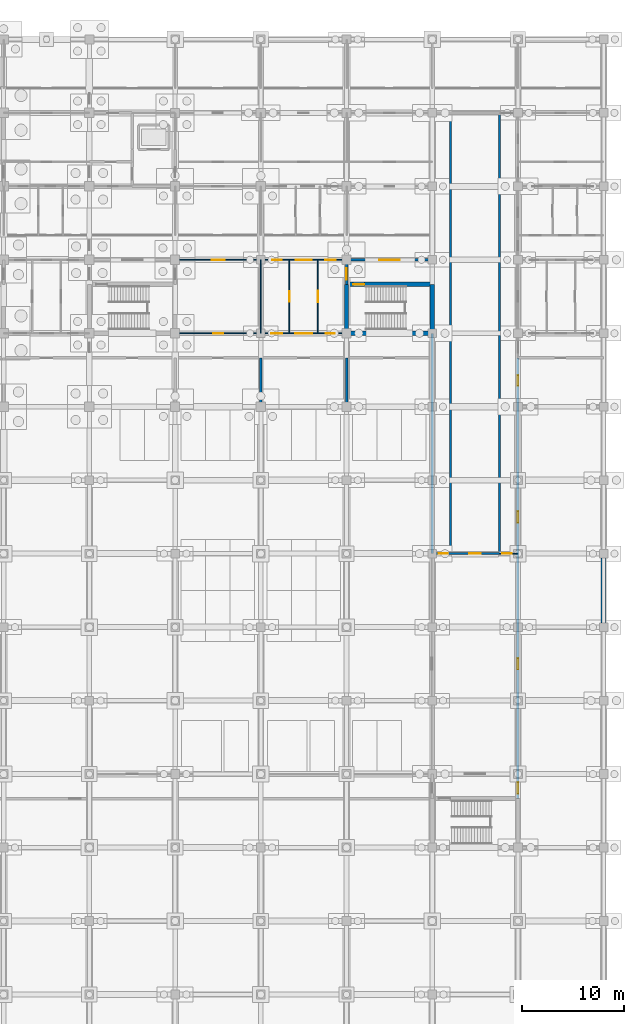
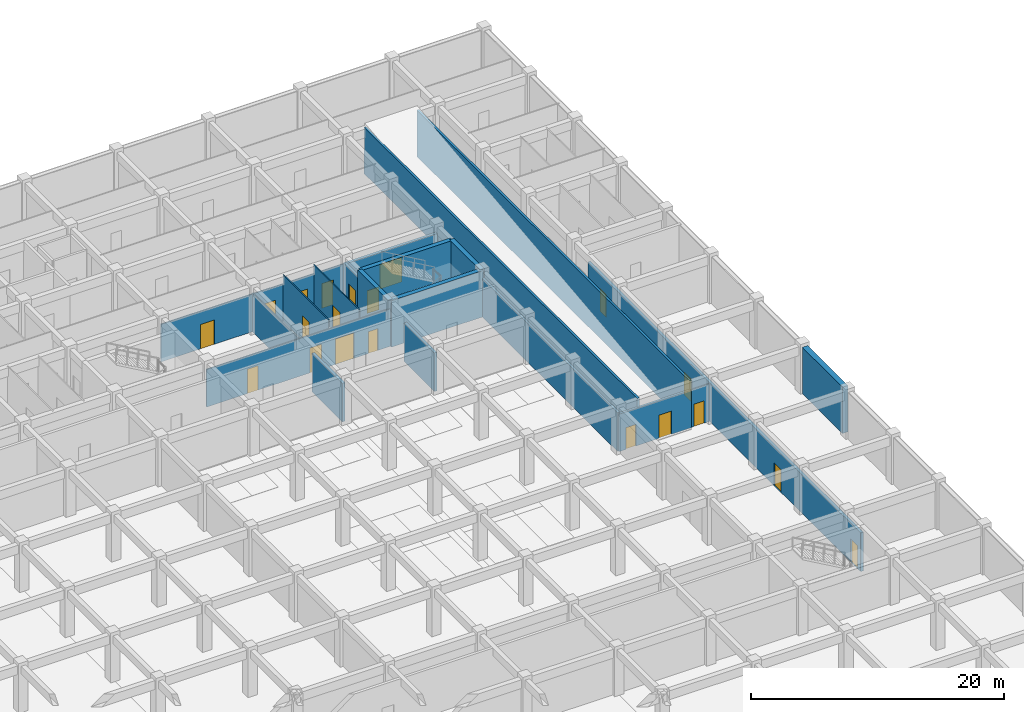
# One storey, part 77 of 85: 20 doors, 20 walls, 20 openings.
"""IFC4 building model written with IfcOpenShell, lengths in metres."""

from ifc_helpers import new_model, si_unit, direction, frame, frame_2d, origin, place, context, subcontext, project, spatial, rectangle, extrude, material, layer, layer_set, type_object, element, fill, save


model = new_model("IFC4")

# Units and contexts
model_context = context("Model", 3, precision=1e-05, world=origin(), true_north=direction((0.0, 1.0)))
body_context = subcontext(model_context, "Body", "Model", "MODEL_VIEW")
ifc_project = project(units=[si_unit("LENGTHUNIT", "METRE"), si_unit("AREAUNIT", "SQUARE_METRE"), si_unit("VOLUMEUNIT", "CUBIC_METRE"), si_unit("PLANEANGLEUNIT", "RADIAN"), si_unit("MASSUNIT", "GRAM", prefix="KILO")], contexts=[model_context])

# Site, building, storey
site_placement = place(None, origin())
site = spatial("IfcSite", under=ifc_project, at=site_placement, CompositionType="ELEMENT")
building_placement = place(site_placement, origin())
building = spatial("IfcBuilding", under=site, at=building_placement, Name="Chengyuan Square Courthouse", CompositionType="ELEMENT")
storey_placement = place(building_placement, frame((0.0, 0.0, -10.199951171875)))
storey = spatial("IfcBuildingStorey", under=building, at=storey_placement, Name="B02", CompositionType="ELEMENT", Elevation=-10.199951171875)

# Wall, opening, door
ifc_material_1 = material(Name="Concrete C40", Category="concrete")
ifc_layer_1 = layer(ifc_material_1, 0.25)
ifc_layer_set_1 = layer_set([ifc_layer_1], Name="Concrete C40")
wall_type_1 = type_object("IfcWallType", Name="WL-FW1", PredefinedType="STANDARD", material=ifc_layer_set_1)
wall_1_placement = place(storey_placement, frame((142.800048828125, 93.60009765625, 0.0), z_axis=(0.0, 0.0, 1.0), x_axis=(1.0, 0.0, 0.0)))
wall_1 = element("IfcWall", 1, at=wall_1_placement, inside=storey, type_object=wall_type_1, Name="Interior Wall WL-B02-I060", PredefinedType="STANDARD", context=body_context, shape_type="SweptSolid", body=[
    extrude(rectangle(XDim=8.39990234375, YDim=0.25, at=frame_2d((4.199951171875, 0.0))), origin(), (0.0, 0.0, 1.0), 3.6298828125),
])
opening_1_placement = place(wall_1_placement, frame((3.21240234375, 0.0, 0.0)))
opening_1 = element("IfcOpeningElement", 2, at=opening_1_placement, cuts=wall_1, Name="Opening DR-048", PredefinedType="OPENING", context=body_context, shape_type="SweptSolid", body=[
    extrude(rectangle(XDim=2.0, YDim=2.39990234375, at=frame_2d((1.0, 1.199951171875))), frame((0.0, 0.136962890625, 0.0), z_axis=(0.0, -1.0, 0.0), x_axis=(1.0, 0.0, 0.0)), (0.0, 0.0, 1.0), 0.27392578125),
])
ifc_material_2 = material(Name="Steel Q235B Glazed Fire Door", Category="steel")
door_type_1 = type_object("IfcDoorType", Name="DT-20", OperationType="DOUBLE_DOOR_SINGLE_SWING", PredefinedType="DOOR", material=ifc_material_2)
door_1_placement = place(opening_1_placement, frame((2.0, 0.0, 0.0), z_axis=(0.0, 0.0, 1.0), x_axis=(-1.0, 0.0, 0.0)))
door_1 = element("IfcDoor", 3, at=door_1_placement, inside=storey, type_object=door_type_1, Name="Interior Door DR-048", OperationType="DOUBLE_DOOR_SINGLE_SWING", OverallHeight=2.39990234375, OverallWidth=2.0, PredefinedType="DOOR", context=body_context, shape_type="SweptSolid", body=[
    extrude(rectangle(XDim=2.0, YDim=2.39990234375, at=frame_2d((1.0, 1.199951171875))), frame((0.0, 0.02490234375, 0.0), z_axis=(0.0, -1.0, 0.0), x_axis=(1.0, 0.0, 0.0)), (0.0, 0.0, 1.0), 0.050048828125),
])
fill(opening_1, door_1)

# Walls
for number, where, z_axis, x_axis, name in (
    (4, (134.39990234375, 79.199951171875, 0.0), (0.0, 0.0, 1.0), (0.0, 1.0, 0.0), "Interior Wall WL-B02-I246"),
    (5, (142.800048828125, 79.199951171875, 0.0), (0.0, 0.0, 1.0), (0.0, 1.0, 0.0), "Interior Wall WL-B02-I255"),
):
    element("IfcWall", number, at=place(storey_placement, frame(where, z_axis=z_axis, x_axis=x_axis)), inside=storey, type_object=wall_type_1, Name=name, PredefinedType="STANDARD", context=body_context, shape_type="SweptSolid", body=[
        extrude(rectangle(XDim=4.800048828125, YDim=0.25, at=frame_2d((2.39990234375, 0.0))), origin(), (0.0, 0.0, 1.0), 3.72998046875),
    ])

# Wall, opening, door
wall_2_placement = place(storey_placement, frame((142.800048828125, 91.199951171875, 0.0), z_axis=(0.0, 0.0, 1.0), x_axis=(0.0, 1.0, 0.0)))
wall_2 = element("IfcWall", 6, at=wall_2_placement, inside=storey, type_object=wall_type_1, Name="Interior Wall WL-B02-I257", PredefinedType="STANDARD", context=body_context, shape_type="SweptSolid", body=[
    extrude(rectangle(XDim=2.400146484375, YDim=0.25, at=frame_2d((1.2001953125, 0.0))), origin(), (0.0, 0.0, 1.0), 3.72998046875),
])
opening_2_placement = place(wall_2_placement, frame((0.465087890625, 0.0, 0.0)))
opening_2 = element("IfcOpeningElement", 7, at=opening_2_placement, cuts=wall_2, Name="Opening DR-049", PredefinedType="OPENING", context=body_context, shape_type="SweptSolid", body=[
    extrude(rectangle(XDim=1.10009765625, YDim=2.199951171875, at=frame_2d((0.550048828125, 1.10009765625))), frame((0.0, 0.136962890625, 0.0), z_axis=(0.0, -1.0, 0.0), x_axis=(1.0, 0.0, 0.0)), (0.0, 0.0, 1.0), 0.27392578125),
])
ifc_material_3 = material(Name="Steel Q235B Fire Door", Category="steel")
door_type_2 = type_object("IfcDoorType", Name="DT-10", OperationType="NOTDEFINED", PredefinedType="DOOR", material=ifc_material_3)
door_2_placement = place(opening_2_placement, origin())
door_2 = element("IfcDoor", 8, at=door_2_placement, inside=storey, type_object=door_type_2, Name="Interior Door DR-049", OperationType="SINGLE_SWING_LEFT", OverallHeight=2.199951171875, OverallWidth=1.10009765625, PredefinedType="DOOR", context=body_context, shape_type="SweptSolid", body=[
    extrude(rectangle(XDim=1.10009765625, YDim=2.199951171875, at=frame_2d((0.550048828125, 1.10009765625))), frame((0.0, 0.02490234375, 0.0), z_axis=(0.0, -1.0, 0.0), x_axis=(1.0, 0.0, 0.0)), (0.0, 0.0, 1.0), 0.050048828125),
])
fill(opening_2, door_2)

# Wall, openings, doors
wall_3_placement = place(storey_placement, frame((159.60009765625, 40.800048828125, 0.0), z_axis=(0.0, 0.0, 1.0), x_axis=(0.0, 1.0, 0.0)))
wall_3 = element("IfcWall", 9, at=wall_3_placement, inside=storey, type_object=wall_type_1, Name="Interior Wall WL-B02-I271", PredefinedType="STANDARD", context=body_context, shape_type="SweptSolid", body=[
    extrude(rectangle(XDim=43.199951171875, YDim=0.25, at=frame_2d((21.60009765625, 0.0))), origin(), (0.0, 0.0, 1.0), 3.72998046875),
])
opening_3_placement = place(wall_3_placement, frame((0.4775390625, 0.0, 0.0)))
opening_3 = element("IfcOpeningElement", 10, at=opening_3_placement, cuts=wall_3, Name="Opening DR-043", PredefinedType="OPENING", context=body_context, shape_type="SweptSolid", body=[
    extrude(rectangle(XDim=1.10009765625, YDim=2.199951171875, at=frame_2d((0.550048828125, 1.10009765625))), frame((0.0, 0.136962890625, 0.0), z_axis=(0.0, -1.0, 0.0), x_axis=(1.0, 0.0, 0.0)), (0.0, 0.0, 1.0), 0.27392578125),
])
opening_4_placement = place(wall_3_placement, frame((40.472412109375, 0.0, 0.0)))
opening_4 = element("IfcOpeningElement", 11, at=opening_4_placement, cuts=wall_3, Name="Opening DR-059", PredefinedType="OPENING", context=body_context, shape_type="SweptSolid", body=[
    extrude(rectangle(XDim=1.0, YDim=2.199951171875, at=frame_2d((0.5, 1.10009765625))), frame((0.0, 0.136962890625, 0.0), z_axis=(0.0, -1.0, 0.0), x_axis=(1.0, 0.0, 0.0)), (0.0, 0.0, 1.0), 0.27392578125),
])
opening_5_placement = place(wall_3_placement, frame((27.050048828125, 0.0, 0.0)))
opening_5 = element("IfcOpeningElement", 12, at=opening_5_placement, cuts=wall_3, Name="Opening DR-061", PredefinedType="OPENING", context=body_context, shape_type="SweptSolid", body=[
    extrude(rectangle(XDim=1.10009765625, YDim=2.199951171875, at=frame_2d((0.550048828125, 1.10009765625))), frame((0.0, 0.136962890625, 0.0), z_axis=(0.0, -1.0, 0.0), x_axis=(1.0, 0.0, 0.0)), (0.0, 0.0, 1.0), 0.27392578125),
])
opening_6_placement = place(wall_3_placement, frame((12.64990234375, 0.0, 0.0)))
opening_6 = element("IfcOpeningElement", 13, at=opening_6_placement, cuts=wall_3, Name="Opening DR-334", PredefinedType="OPENING", context=body_context, shape_type="SweptSolid", body=[
    extrude(rectangle(XDim=1.10009765625, YDim=2.199951171875, at=frame_2d((0.550048828125, 1.10009765625))), frame((0.0, 0.136962890625, 0.0), z_axis=(0.0, -1.0, 0.0), x_axis=(1.0, 0.0, 0.0)), (0.0, 0.0, 1.0), 0.27392578125),
])
door_3_placement = place(opening_3_placement, origin())
door_3 = element("IfcDoor", 14, at=door_3_placement, inside=storey, type_object=door_type_2, Name="Interior Door DR-043", OperationType="SINGLE_SWING_RIGHT", OverallHeight=2.199951171875, OverallWidth=1.10009765625, PredefinedType="DOOR", context=body_context, shape_type="SweptSolid", body=[
    extrude(rectangle(XDim=1.10009765625, YDim=2.199951171875, at=frame_2d((0.550048828125, 1.10009765625))), frame((0.0, 0.02490234375, 0.0), z_axis=(0.0, -1.0, 0.0), x_axis=(1.0, 0.0, 0.0)), (0.0, 0.0, 1.0), 0.050048828125),
])
fill(opening_3, door_3)
door_4_placement = place(opening_5_placement, origin())
door_4 = element("IfcDoor", 15, at=door_4_placement, inside=storey, type_object=door_type_2, Name="Interior Door DR-061", OperationType="SINGLE_SWING_LEFT", OverallHeight=2.199951171875, OverallWidth=1.10009765625, PredefinedType="DOOR", context=body_context, shape_type="SweptSolid", body=[
    extrude(rectangle(XDim=1.10009765625, YDim=2.199951171875, at=frame_2d((0.550048828125, 1.10009765625))), frame((0.0, 0.02490234375, 0.0), z_axis=(0.0, -1.0, 0.0), x_axis=(1.0, 0.0, 0.0)), (0.0, 0.0, 1.0), 0.050048828125),
])
fill(opening_5, door_4)
door_5_placement = place(opening_6_placement, origin())
door_5 = element("IfcDoor", 16, at=door_5_placement, inside=storey, type_object=door_type_2, Name="Interior Door DR-334", OperationType="SINGLE_SWING_LEFT", OverallHeight=2.199951171875, OverallWidth=1.10009765625, PredefinedType="DOOR", context=body_context, shape_type="SweptSolid", body=[
    extrude(rectangle(XDim=1.10009765625, YDim=2.199951171875, at=frame_2d((0.550048828125, 1.10009765625))), frame((0.0, 0.02490234375, 0.0), z_axis=(0.0, -1.0, 0.0), x_axis=(1.0, 0.0, 0.0)), (0.0, 0.0, 1.0), 0.050048828125),
])
fill(opening_6, door_5)
door_type_3 = type_object("IfcDoorType", Name="DT-11", OperationType="NOTDEFINED", PredefinedType="DOOR", material=ifc_material_3)
door_6_placement = place(opening_4_placement, origin())
door_6 = element("IfcDoor", 17, at=door_6_placement, inside=storey, type_object=door_type_3, Name="Interior Door DR-059", OperationType="SINGLE_SWING_LEFT", OverallHeight=2.199951171875, OverallWidth=1.0, PredefinedType="DOOR", context=body_context, shape_type="SweptSolid", body=[
    extrude(rectangle(XDim=1.0, YDim=2.199951171875, at=frame_2d((0.5, 1.10009765625))), frame((0.0, 0.02490234375, 0.0), z_axis=(0.0, -1.0, 0.0), x_axis=(1.0, 0.0, 0.0)), (0.0, 0.0, 1.0), 0.050048828125),
])
fill(opening_4, door_6)

# Wall, opening, door
ifc_material_4 = material(Name="Gypsum Plasterboard Acoustic Stud Partition")
ifc_layer_2 = layer(ifc_material_4, 0.10009765625)
ifc_layer_set_2 = layer_set([ifc_layer_2], Name="Gypsum Plasterboard Acoustic Stud Partition")
wall_type_2 = type_object("IfcWallType", Name="WL-PT6", PredefinedType="STANDARD", material=ifc_layer_set_2)
wall_4_placement = place(storey_placement, frame((157.800048828125, 64.800048828125, 0.0), z_axis=(0.0, 0.0, 1.0), x_axis=(1.0, 0.0, 0.0)))
wall_4 = element("IfcWall", 18, at=wall_4_placement, inside=storey, type_object=wall_type_2, Name="Interior Wall WL-B02-I018", PredefinedType="STANDARD", context=body_context, shape_type="SweptSolid", body=[
    extrude(rectangle(XDim=1.800048828125, YDim=0.10009765625, at=frame_2d((0.89990234375, 0.0))), origin(), (0.0, 0.0, 1.0), 3.6298828125),
])
opening_7_placement = place(wall_4_placement, frame((0.277587890625, 0.0, 0.0)))
opening_7 = element("IfcOpeningElement", 19, at=opening_7_placement, cuts=wall_4, Name="Opening DR-060", PredefinedType="OPENING", context=body_context, shape_type="SweptSolid", body=[
    extrude(rectangle(XDim=0.89990234375, YDim=2.14990234375, at=frame_2d((0.449951171875, 1.074951171875))), frame((0.0, 0.06201171875, 0.0), z_axis=(0.0, -1.0, 0.0), x_axis=(1.0, 0.0, 0.0)), (0.0, 0.0, 1.0), 0.1240234375),
])
ifc_material_5 = material(Name="Acoustic Solid-Core Timber Door", Category="wood")
door_type_4 = type_object("IfcDoorType", Name="DT-27", OperationType="NOTDEFINED", PredefinedType="DOOR", material=ifc_material_5)
door_7_placement = place(opening_7_placement, origin())
door_7 = element("IfcDoor", 20, at=door_7_placement, inside=storey, type_object=door_type_4, Name="Interior Door DR-060", OperationType="SINGLE_SWING_RIGHT", OverallHeight=2.14990234375, OverallWidth=0.89990234375, PredefinedType="DOOR", context=body_context, shape_type="SweptSolid", body=[
    extrude(rectangle(XDim=0.89990234375, YDim=2.14990234375, at=frame_2d((0.449951171875, 1.074951171875))), frame((0.0, 0.02490234375, 0.0), z_axis=(0.0, -1.0, 0.0), x_axis=(1.0, 0.0, 0.0)), (0.0, 0.0, 1.0), 0.050048828125),
])
fill(opening_7, door_7)

# Wall, openings, doors
wall_5_placement = place(storey_placement, frame((126.0, 86.39990234375, 0.0), z_axis=(0.0, 0.0, 1.0), x_axis=(1.0, 0.0, 0.0)))
wall_5 = element("IfcWall", 21, at=wall_5_placement, inside=storey, type_object=wall_type_2, Name="Interior Wall WL-B02-I039", PredefinedType="STANDARD", context=body_context, shape_type="SweptSolid", body=[
    extrude(rectangle(XDim=16.800048828125, YDim=0.10009765625, at=frame_2d((8.39990234375, 0.0))), origin(), (0.0, 0.0, 1.0), 3.6298828125),
])
opening_8_placement = place(wall_5_placement, frame((3.722412109375, 0.0, 0.0)))
opening_8 = element("IfcOpeningElement", 22, at=opening_8_placement, cuts=wall_5, Name="Opening DR-252", PredefinedType="OPENING", context=body_context, shape_type="SweptSolid", body=[
    extrude(rectangle(XDim=0.97998046875, YDim=2.35009765625, at=frame_2d((0.489990234375, 1.175048828125))), frame((0.0, 0.06201171875, 0.0), z_axis=(0.0, -1.0, 0.0), x_axis=(1.0, 0.0, 0.0)), (0.0, 0.0, 1.0), 0.1240234375),
])
opening_9_placement = place(wall_5_placement, frame((9.4423828125, 0.0, 0.0)))
opening_9 = element("IfcOpeningElement", 23, at=opening_9_placement, cuts=wall_5, Name="Opening DR-254", PredefinedType="OPENING", context=body_context, shape_type="SweptSolid", body=[
    extrude(rectangle(XDim=1.06005859375, YDim=2.39990234375, at=frame_2d((0.530029296875, 1.199951171875))), frame((0.0, 0.06201171875, 0.0), z_axis=(0.0, -1.0, 0.0), x_axis=(1.0, 0.0, 0.0)), (0.0, 0.0, 1.0), 0.1240234375),
])
opening_10_placement = place(wall_5_placement, frame((11.75, 0.0, 0.0)))
opening_10 = element("IfcOpeningElement", 24, at=opening_10_placement, cuts=wall_5, Name="Opening DR-256", PredefinedType="OPENING", context=body_context, shape_type="SweptSolid", body=[
    extrude(rectangle(XDim=1.699951171875, YDim=2.449951171875, at=frame_2d((0.85009765625, 1.22509765625))), frame((0.0, 0.06201171875, 0.0), z_axis=(0.0, -1.0, 0.0), x_axis=(1.0, 0.0, 0.0)), (0.0, 0.0, 1.0), 0.1240234375),
])
opening_11_placement = place(wall_5_placement, frame((14.784912109375, 0.0, 0.0)))
opening_11 = element("IfcOpeningElement", 25, at=opening_11_placement, cuts=wall_5, Name="Opening DR-257", PredefinedType="OPENING", context=body_context, shape_type="SweptSolid", body=[
    extrude(rectangle(XDim=0.860107421875, YDim=2.10009765625, at=frame_2d((0.43017578125, 1.050048828125))), frame((0.0, 0.06201171875, 0.0), z_axis=(0.0, -1.0, 0.0), x_axis=(1.0, 0.0, 0.0)), (0.0, 0.0, 1.0), 0.1240234375),
])
ifc_material_6 = material(Name="Acoustic Larch Veneer Double Door")
door_type_5 = type_object("IfcDoorType", Name="DT-24", OperationType="DOUBLE_DOOR_SINGLE_SWING", PredefinedType="DOOR", material=ifc_material_6)
door_8_placement = place(opening_10_placement, frame((1.699951171875, 0.0, 0.0), z_axis=(0.0, 0.0, 1.0), x_axis=(-1.0, 0.0, 0.0)))
door_8 = element("IfcDoor", 26, at=door_8_placement, inside=storey, type_object=door_type_5, Name="Interior Door DR-256", OperationType="DOUBLE_DOOR_SINGLE_SWING", OverallHeight=2.449951171875, OverallWidth=1.699951171875, PredefinedType="DOOR", context=body_context, shape_type="SweptSolid", body=[
    extrude(rectangle(XDim=1.699951171875, YDim=2.449951171875, at=frame_2d((0.85009765625, 1.22509765625))), frame((0.0, 0.02490234375, 0.0), z_axis=(0.0, -1.0, 0.0), x_axis=(1.0, 0.0, 0.0)), (0.0, 0.0, 1.0), 0.050048828125),
])
fill(opening_10, door_8)
door_type_6 = type_object("IfcDoorType", Name="DT-28", OperationType="NOTDEFINED", PredefinedType="DOOR", material=ifc_material_5)
door_9_placement = place(opening_11_placement, origin())
door_9 = element("IfcDoor", 27, at=door_9_placement, inside=storey, type_object=door_type_6, Name="Interior Door DR-257", OperationType="SINGLE_SWING_RIGHT", OverallHeight=2.10009765625, OverallWidth=0.860107421875, PredefinedType="DOOR", context=body_context, shape_type="SweptSolid", body=[
    extrude(rectangle(XDim=0.860107421875, YDim=2.10009765625, at=frame_2d((0.43017578125, 1.050048828125))), frame((0.0, 0.02490234375, 0.0), z_axis=(0.0, -1.0, 0.0), x_axis=(1.0, 0.0, 0.0)), (0.0, 0.0, 1.0), 0.050048828125),
])
fill(opening_11, door_9)
door_type_7 = type_object("IfcDoorType", Name="DT-40", OperationType="NOTDEFINED", PredefinedType="DOOR", material=ifc_material_5)
door_10_placement = place(opening_8_placement, origin())
door_10 = element("IfcDoor", 28, at=door_10_placement, inside=storey, type_object=door_type_7, Name="Interior Door DR-252", OperationType="SINGLE_SWING_RIGHT", OverallHeight=2.35009765625, OverallWidth=0.97998046875, PredefinedType="DOOR", context=body_context, shape_type="SweptSolid", body=[
    extrude(rectangle(XDim=0.97998046875, YDim=2.35009765625, at=frame_2d((0.489990234375, 1.175048828125))), frame((0.0, 0.02490234375, 0.0), z_axis=(0.0, -1.0, 0.0), x_axis=(1.0, 0.0, 0.0)), (0.0, 0.0, 1.0), 0.050048828125),
])
fill(opening_8, door_10)
door_type_8 = type_object("IfcDoorType", Name="DT-42", OperationType="NOTDEFINED", PredefinedType="DOOR", material=ifc_material_5)
door_11_placement = place(opening_9_placement, origin())
door_11 = element("IfcDoor", 29, at=door_11_placement, inside=storey, type_object=door_type_8, Name="Interior Door DR-254", OperationType="SINGLE_SWING_RIGHT", OverallHeight=2.39990234375, OverallWidth=1.06005859375, PredefinedType="DOOR", context=body_context, shape_type="SweptSolid", body=[
    extrude(rectangle(XDim=1.06005859375, YDim=2.39990234375, at=frame_2d((0.530029296875, 1.199951171875))), frame((0.0, 0.02490234375, 0.0), z_axis=(0.0, -1.0, 0.0), x_axis=(1.0, 0.0, 0.0)), (0.0, 0.0, 1.0), 0.050048828125),
])
fill(opening_9, door_11)

wall_6_placement = place(storey_placement, frame((126.0, 93.60009765625, 0.0), z_axis=(0.0, 0.0, 1.0), x_axis=(1.0, 0.0, 0.0)))
wall_6 = element("IfcWall", 30, at=wall_6_placement, inside=storey, type_object=wall_type_2, Name="Interior Wall WL-B02-I059", PredefinedType="STANDARD", context=body_context, shape_type="SweptSolid", body=[
    extrude(rectangle(XDim=16.800048828125, YDim=0.10009765625, at=frame_2d((8.39990234375, 0.0))), origin(), (0.0, 0.0, 1.0), 3.6298828125),
])
opening_12_placement = place(wall_6_placement, frame((3.572509765625, 0.0, 0.0)))
opening_12 = element("IfcOpeningElement", 31, at=opening_12_placement, cuts=wall_6, Name="Opening DR-199", PredefinedType="OPENING", context=body_context, shape_type="SweptSolid", body=[
    extrude(rectangle(XDim=1.280029296875, YDim=2.35009765625, at=frame_2d((0.64013671875, 1.175048828125))), frame((0.0, 0.06201171875, 0.0), z_axis=(0.0, -1.0, 0.0), x_axis=(1.0, 0.0, 0.0)), (0.0, 0.0, 1.0), 0.1240234375),
])
opening_13_placement = place(wall_6_placement, frame((9.50244140625, 0.0, 0.0)))
opening_13 = element("IfcOpeningElement", 32, at=opening_13_placement, cuts=wall_6, Name="Opening DR-200", PredefinedType="OPENING", context=body_context, shape_type="SweptSolid", body=[
    extrude(rectangle(XDim=0.93994140625, YDim=2.300048828125, at=frame_2d((0.469970703125, 1.14990234375))), frame((0.0, 0.06201171875, 0.0), z_axis=(0.0, -1.0, 0.0), x_axis=(1.0, 0.0, 0.0)), (0.0, 0.0, 1.0), 0.1240234375),
])
opening_14_placement = place(wall_6_placement, frame((11.824951171875, 0.0, 0.0)))
opening_14 = element("IfcOpeningElement", 33, at=opening_14_placement, cuts=wall_6, Name="Opening DR-201", PredefinedType="OPENING", context=body_context, shape_type="SweptSolid", body=[
    extrude(rectangle(XDim=1.550048828125, YDim=2.35009765625, at=frame_2d((0.77490234375, 1.175048828125))), frame((0.0, 0.06201171875, 0.0), z_axis=(0.0, -1.0, 0.0), x_axis=(1.0, 0.0, 0.0)), (0.0, 0.0, 1.0), 0.1240234375),
])
opening_15_placement = place(wall_6_placement, frame((14.705078125, 0.0, 0.0)))
opening_15 = element("IfcOpeningElement", 34, at=opening_15_placement, cuts=wall_6, Name="Opening DR-202", PredefinedType="OPENING", context=body_context, shape_type="SweptSolid", body=[
    extrude(rectangle(XDim=1.02001953125, YDim=2.39990234375, at=frame_2d((0.510009765625, 1.199951171875))), frame((0.0, 0.06201171875, 0.0), z_axis=(0.0, -1.0, 0.0), x_axis=(1.0, 0.0, 0.0)), (0.0, 0.0, 1.0), 0.1240234375),
])
door_type_9 = type_object("IfcDoorType", Name="DT-23", OperationType="DOUBLE_DOOR_SINGLE_SWING", PredefinedType="DOOR", material=ifc_material_6)
door_12_placement = place(opening_14_placement, frame((1.550048828125, 0.0, 0.0), z_axis=(0.0, 0.0, 1.0), x_axis=(-1.0, 0.0, 0.0)))
door_12 = element("IfcDoor", 35, at=door_12_placement, inside=storey, type_object=door_type_9, Name="Interior Door DR-201", OperationType="DOUBLE_DOOR_SINGLE_SWING", OverallHeight=2.35009765625, OverallWidth=1.550048828125, PredefinedType="DOOR", context=body_context, shape_type="SweptSolid", body=[
    extrude(rectangle(XDim=1.550048828125, YDim=2.35009765625, at=frame_2d((0.77490234375, 1.175048828125))), frame((0.0, 0.02490234375, 0.0), z_axis=(0.0, -1.0, 0.0), x_axis=(1.0, 0.0, 0.0)), (0.0, 0.0, 1.0), 0.050048828125),
])
fill(opening_14, door_12)
door_type_10 = type_object("IfcDoorType", Name="DT-38", OperationType="NOTDEFINED", PredefinedType="DOOR", material=ifc_material_5)
door_13_placement = place(opening_12_placement, origin())
door_13 = element("IfcDoor", 36, at=door_13_placement, inside=storey, type_object=door_type_10, Name="Interior Door DR-199", OperationType="SINGLE_SWING_RIGHT", OverallHeight=2.35009765625, OverallWidth=1.280029296875, PredefinedType="DOOR", context=body_context, shape_type="SweptSolid", body=[
    extrude(rectangle(XDim=1.280029296875, YDim=2.35009765625, at=frame_2d((0.64013671875, 1.175048828125))), frame((0.0, 0.02490234375, 0.0), z_axis=(0.0, -1.0, 0.0), x_axis=(1.0, 0.0, 0.0)), (0.0, 0.0, 1.0), 0.050048828125),
])
fill(opening_12, door_13)
door_type_11 = type_object("IfcDoorType", Name="DT-39", OperationType="NOTDEFINED", PredefinedType="DOOR", material=ifc_material_5)
door_14_placement = place(opening_13_placement, origin())
door_14 = element("IfcDoor", 37, at=door_14_placement, inside=storey, type_object=door_type_11, Name="Interior Door DR-200", OperationType="SINGLE_SWING_LEFT", OverallHeight=2.300048828125, OverallWidth=0.93994140625, PredefinedType="DOOR", context=body_context, shape_type="SweptSolid", body=[
    extrude(rectangle(XDim=0.93994140625, YDim=2.300048828125, at=frame_2d((0.469970703125, 1.14990234375))), frame((0.0, 0.02490234375, 0.0), z_axis=(0.0, -1.0, 0.0), x_axis=(1.0, 0.0, 0.0)), (0.0, 0.0, 1.0), 0.050048828125),
])
fill(opening_13, door_14)
door_type_12 = type_object("IfcDoorType", Name="DT-41", OperationType="NOTDEFINED", PredefinedType="DOOR", material=ifc_material_5)
door_15_placement = place(opening_15_placement, origin())
door_15 = element("IfcDoor", 38, at=door_15_placement, inside=storey, type_object=door_type_12, Name="Interior Door DR-202", OperationType="SINGLE_SWING_RIGHT", OverallHeight=2.39990234375, OverallWidth=1.02001953125, PredefinedType="DOOR", context=body_context, shape_type="SweptSolid", body=[
    extrude(rectangle(XDim=1.02001953125, YDim=2.39990234375, at=frame_2d((0.510009765625, 1.199951171875))), frame((0.0, 0.02490234375, 0.0), z_axis=(0.0, -1.0, 0.0), x_axis=(1.0, 0.0, 0.0)), (0.0, 0.0, 1.0), 0.050048828125),
])
fill(opening_15, door_15)

# Wall
wall_7_placement = place(storey_placement, frame((134.39990234375, 86.39990234375, 0.0), z_axis=(0.0, 0.0, 1.0), x_axis=(0.0, 1.0, 0.0)))
element("IfcWall", 39, at=wall_7_placement, inside=storey, type_object=wall_type_2, Name="Interior Wall WL-B02-I247", PredefinedType="STANDARD", context=body_context, shape_type="SweptSolid", body=[
    extrude(rectangle(XDim=7.2001953125, YDim=0.10009765625, at=frame_2d((3.60009765625, 0.0))), origin(), (0.0, 0.0, 1.0), 3.72998046875),
])

# Wall, opening, door
wall_8_placement = place(storey_placement, frame((137.199951171875, 86.39990234375, 0.0), z_axis=(0.0, 0.0, 1.0), x_axis=(0.0, 1.0, 0.0)))
wall_8 = element("IfcWall", 40, at=wall_8_placement, inside=storey, type_object=wall_type_2, Name="Interior Wall WL-B02-I251", PredefinedType="STANDARD", context=body_context, shape_type="SweptSolid", body=[
    extrude(rectangle(XDim=7.2001953125, YDim=0.10009765625, at=frame_2d((3.60009765625, 0.0))), origin(), (0.0, 0.0, 1.0), 4.47998046875),
])
opening_16_placement = place(wall_8_placement, frame((3.090087890625, 0.0, 0.0)))
opening_16 = element("IfcOpeningElement", 41, at=opening_16_placement, cuts=wall_8, Name="Opening DR-253", PredefinedType="OPENING", context=body_context, shape_type="SweptSolid", body=[
    extrude(rectangle(XDim=1.02001953125, YDim=2.39990234375, at=frame_2d((0.510009765625, 1.199951171875))), frame((0.0, 0.06201171875, 0.0), z_axis=(0.0, -1.0, 0.0), x_axis=(1.0, 0.0, 0.0)), (0.0, 0.0, 1.0), 0.1240234375),
])
door_16_placement = place(opening_16_placement, origin())
door_16 = element("IfcDoor", 42, at=door_16_placement, inside=storey, type_object=door_type_12, Name="Interior Door DR-253", OperationType="SINGLE_SWING_LEFT", OverallHeight=2.39990234375, OverallWidth=1.02001953125, PredefinedType="DOOR", context=body_context, shape_type="SweptSolid", body=[
    extrude(rectangle(XDim=1.02001953125, YDim=2.39990234375, at=frame_2d((0.510009765625, 1.199951171875))), frame((0.0, 0.02490234375, 0.0), z_axis=(0.0, -1.0, 0.0), x_axis=(1.0, 0.0, 0.0)), (0.0, 0.0, 1.0), 0.050048828125),
])
fill(opening_16, door_16)

wall_9_placement = place(storey_placement, frame((140.0, 86.39990234375, 0.0), z_axis=(0.0, 0.0, 1.0), x_axis=(0.0, 1.0, 0.0)))
wall_9 = element("IfcWall", 43, at=wall_9_placement, inside=storey, type_object=wall_type_2, Name="Interior Wall WL-B02-I253", PredefinedType="STANDARD", context=body_context, shape_type="SweptSolid", body=[
    extrude(rectangle(XDim=7.2001953125, YDim=0.10009765625, at=frame_2d((3.60009765625, 0.0))), origin(), (0.0, 0.0, 1.0), 4.47998046875),
])
opening_17_placement = place(wall_9_placement, frame((3.030029296875, 0.0, 0.0)))
opening_17 = element("IfcOpeningElement", 44, at=opening_17_placement, cuts=wall_9, Name="Opening DR-255", PredefinedType="OPENING", context=body_context, shape_type="SweptSolid", body=[
    extrude(rectangle(XDim=1.139892578125, YDim=2.39990234375, at=frame_2d((0.56982421875, 1.199951171875))), frame((0.0, 0.06201171875, 0.0), z_axis=(0.0, -1.0, 0.0), x_axis=(1.0, 0.0, 0.0)), (0.0, 0.0, 1.0), 0.1240234375),
])
door_type_13 = type_object("IfcDoorType", Name="DT-43", OperationType="NOTDEFINED", PredefinedType="DOOR", material=ifc_material_5)
door_17_placement = place(opening_17_placement, origin())
door_17 = element("IfcDoor", 45, at=door_17_placement, inside=storey, type_object=door_type_13, Name="Interior Door DR-255", OperationType="SINGLE_SWING_LEFT", OverallHeight=2.39990234375, OverallWidth=1.139892578125, PredefinedType="DOOR", context=body_context, shape_type="SweptSolid", body=[
    extrude(rectangle(XDim=1.139892578125, YDim=2.39990234375, at=frame_2d((0.56982421875, 1.199951171875))), frame((0.0, 0.02490234375, 0.0), z_axis=(0.0, -1.0, 0.0), x_axis=(1.0, 0.0, 0.0)), (0.0, 0.0, 1.0), 0.050048828125),
])
fill(opening_17, door_17)

# Wall
ifc_layer_3 = layer(ifc_material_1, 0.5)
ifc_layer_set_3 = layer_set([ifc_layer_3], Name="Concrete C40")
wall_type_3 = type_object("IfcWallType", Name="WL-RW1", PredefinedType="USERDEFINED", material=ifc_layer_set_3)
wall_10_placement = place(storey_placement, frame((168.0, 58.02001953125, 0.0), z_axis=(0.0, 0.0, 1.0), x_axis=(0.0, 1.0, 0.0)))
element("IfcWall", 46, at=wall_10_placement, inside=storey, type_object=wall_type_3, Name="Basement Retaining Wall WL-B02-E064", ObjectType="RETAININGWALL", PredefinedType="USERDEFINED", context=body_context, shape_type="SweptSolid", body=[
    extrude(rectangle(XDim=6.35986328125, YDim=0.5, at=frame_2d((3.179931640625, 0.0))), origin(), (0.0, 0.0, 1.0), 4.47998046875),
])

# Wall, openings, doors
ifc_material_7 = material(Name="Reinforced Masonry Shaft Enclosure", Category="masonry")
ifc_layer_4 = layer(ifc_material_7, 0.199951171875)
ifc_layer_set_4 = layer_set([ifc_layer_4], Name="Reinforced Masonry Shaft Enclosure")
wall_type_4 = type_object("IfcWallType", Name="WL-SH1", PredefinedType="STANDARD", material=ifc_layer_set_4)
wall_11_placement = place(storey_placement, frame((151.199951171875, 64.800048828125, 0.0), z_axis=(0.0, 0.0, 1.0), x_axis=(1.0, 0.0, 0.0)))
wall_11 = element("IfcWall", 47, at=wall_11_placement, inside=storey, type_object=wall_type_4, Name="Interior Wall WL-B02-I017", PredefinedType="STANDARD", context=body_context, shape_type="SweptSolid", body=[
    extrude(rectangle(XDim=6.60009765625, YDim=0.199951171875, at=frame_2d((3.300048828125, 0.0))), origin(), (0.0, 0.0, 1.0), 3.6298828125),
])
opening_18_placement = place(wall_11_placement, frame((0.62255859375, 0.0, 0.0)))
opening_18 = element("IfcOpeningElement", 48, at=opening_18_placement, cuts=wall_11, Name="Opening DR-050", PredefinedType="OPENING", context=body_context, shape_type="SweptSolid", body=[
    extrude(rectangle(XDim=0.89990234375, YDim=2.10009765625, at=frame_2d((0.449951171875, 1.050048828125))), frame((0.0, 0.112060546875, 0.0), z_axis=(0.0, -1.0, 0.0), x_axis=(1.0, 0.0, 0.0)), (0.0, 0.0, 1.0), 0.223876953125),
])
opening_19_placement = place(wall_11_placement, frame((3.625, 0.0, 0.0)))
opening_19 = element("IfcOpeningElement", 49, at=opening_19_placement, cuts=wall_11, Name="Opening DR-051", PredefinedType="OPENING", context=body_context, shape_type="SweptSolid", body=[
    extrude(rectangle(XDim=1.14990234375, YDim=2.25, at=frame_2d((0.574951171875, 1.125))), frame((0.0, 0.112060546875, 0.0), z_axis=(0.0, -1.0, 0.0), x_axis=(1.0, 0.0, 0.0)), (0.0, 0.0, 1.0), 0.223876953125),
])
door_type_14 = type_object("IfcDoorType", Name="DT-14", OperationType="NOTDEFINED", PredefinedType="DOOR", material=ifc_material_3)
door_18_placement = place(opening_18_placement, origin())
door_18 = element("IfcDoor", 50, at=door_18_placement, inside=storey, type_object=door_type_14, Name="Interior Door DR-050", OperationType="SINGLE_SWING_RIGHT", OverallHeight=2.10009765625, OverallWidth=0.89990234375, PredefinedType="DOOR", context=body_context, shape_type="SweptSolid", body=[
    extrude(rectangle(XDim=0.89990234375, YDim=2.10009765625, at=frame_2d((0.449951171875, 1.050048828125))), frame((0.0, 0.02490234375, 0.0), z_axis=(0.0, -1.0, 0.0), x_axis=(1.0, 0.0, 0.0)), (0.0, 0.0, 1.0), 0.050048828125),
])
fill(opening_18, door_18)
door_type_15 = type_object("IfcDoorType", Name="DT-15", OperationType="NOTDEFINED", PredefinedType="DOOR", material=ifc_material_3)
door_19_placement = place(opening_19_placement, origin())
door_19 = element("IfcDoor", 51, at=door_19_placement, inside=storey, type_object=door_type_15, Name="Interior Door DR-051", OperationType="SINGLE_SWING_LEFT", OverallHeight=2.25, OverallWidth=1.14990234375, PredefinedType="DOOR", context=body_context, shape_type="SweptSolid", body=[
    extrude(rectangle(XDim=1.14990234375, YDim=2.25, at=frame_2d((0.574951171875, 1.125))), frame((0.0, 0.02490234375, 0.0), z_axis=(0.0, -1.0, 0.0), x_axis=(1.0, 0.0, 0.0)), (0.0, 0.0, 1.0), 0.050048828125),
])
fill(opening_19, door_19)

# Walls
wall_12_placement = place(storey_placement, frame((151.199951171875, 64.800048828125, 0.0), z_axis=(0.0, 0.0, 1.0), x_axis=(0.0, 1.0, 0.0)))
element("IfcWall", 52, at=wall_12_placement, inside=storey, type_object=wall_type_4, Name="Interior Wall WL-B02-I264", PredefinedType="STANDARD", context=body_context, shape_type="SweptSolid", body=[
    extrude(rectangle(XDim=21.599853515625, YDim=0.199951171875, at=frame_2d((10.7998046875, 0.0))), origin(), (0.0, 0.0, 1.0), 3.72998046875),
])
for number, where, z_axis, x_axis, name in (
    (53, (153.0, 64.800048828125, 0.0), (0.0, 0.0, 1.0), (0.0, 1.0, 0.0), "Interior Wall WL-B02-I268"),
    (54, (157.800048828125, 64.800048828125, 0.0), (0.0, 0.0, 1.0), (0.0, 1.0, 0.0), "Interior Wall WL-B02-I269"),
):
    element("IfcWall", number, at=place(storey_placement, frame(where, z_axis=z_axis, x_axis=x_axis)), inside=storey, type_object=wall_type_4, Name=name, PredefinedType="STANDARD", context=body_context, shape_type="SweptSolid", body=[
        extrude(rectangle(XDim=43.199951171875, YDim=0.199951171875, at=frame_2d((21.60009765625, 0.0))), origin(), (0.0, 0.0, 1.0), 4.47998046875),
    ])
ifc_material_8 = material(Name="Concrete C50", Category="concrete")
ifc_layer_5 = layer(ifc_material_8, 0.39990234375)
ifc_layer_set_5 = layer_set([ifc_layer_5], Name="Concrete C50")
wall_type_5 = type_object("IfcWallType", Name="WL-SW1", PredefinedType="SHEAR", material=ifc_layer_set_5)
wall_13_placement = place(storey_placement, frame((142.800048828125, 86.39990234375, 0.0), z_axis=(0.0, 0.0, 1.0), x_axis=(1.0, 0.0, 0.0)))
element("IfcWall", 55, at=wall_13_placement, inside=storey, type_object=wall_type_5, Name="Interior Wall WL-B02-I040", PredefinedType="SHEAR", context=body_context, shape_type="SweptSolid", body=[
    extrude(rectangle(XDim=8.39990234375, YDim=0.39990234375, at=frame_2d((4.199951171875, 0.0))), origin(), (0.0, 0.0, 1.0), 4.47998046875),
])

# Wall, opening, door
wall_14_placement = place(storey_placement, frame((142.800048828125, 91.199951171875, 0.0), z_axis=(0.0, 0.0, 1.0), x_axis=(1.0, 0.0, 0.0)))
wall_14 = element("IfcWall", 56, at=wall_14_placement, inside=storey, type_object=wall_type_5, Name="Interior Wall WL-B02-I048", PredefinedType="SHEAR", context=body_context, shape_type="SweptSolid", body=[
    extrude(rectangle(XDim=8.39990234375, YDim=0.39990234375, at=frame_2d((4.199951171875, 0.0))), origin(), (0.0, 0.0, 1.0), 4.47998046875),
])
opening_20_placement = place(wall_14_placement, frame((0.64990234375, 0.0, 0.0)))
opening_20 = element("IfcOpeningElement", 57, at=opening_20_placement, cuts=wall_14, Name="Opening DR-020", PredefinedType="OPENING", context=body_context, shape_type="SweptSolid", body=[
    extrude(rectangle(XDim=1.10009765625, YDim=2.199951171875, at=frame_2d((0.550048828125, 1.10009765625))), frame((0.0, 0.2119140625, 0.0), z_axis=(0.0, -1.0, 0.0), x_axis=(1.0, 0.0, 0.0)), (0.0, 0.0, 1.0), 0.423828125),
])
door_20_placement = place(opening_20_placement, frame((1.10009765625, 0.0, 0.0), z_axis=(0.0, 0.0, 1.0), x_axis=(-1.0, 0.0, 0.0)))
door_20 = element("IfcDoor", 58, at=door_20_placement, inside=storey, type_object=door_type_2, Name="Smoke-Proof Stairwell Fire Door ST-10 DR-020", OperationType="SINGLE_SWING_RIGHT", OverallHeight=2.199951171875, OverallWidth=1.10009765625, PredefinedType="DOOR", context=body_context, shape_type="SweptSolid", body=[
    extrude(rectangle(XDim=1.10009765625, YDim=2.199951171875, at=frame_2d((0.550048828125, 1.10009765625))), frame((0.0, 0.02490234375, 0.0), z_axis=(0.0, -1.0, 0.0), x_axis=(1.0, 0.0, 0.0)), (0.0, 0.0, 1.0), 0.050048828125),
])
fill(opening_20, door_20)

# Walls
for number, where, z_axis, x_axis, name in (
    (59, (142.800048828125, 86.39990234375, 0.0), (0.0, 0.0, 1.0), (0.0, 1.0, 0.0), "Interior Wall WL-B02-I256"),
    (60, (151.199951171875, 86.39990234375, 0.0), (0.0, 0.0, 1.0), (0.0, 1.0, 0.0), "Interior Wall WL-B02-I265"),
):
    element("IfcWall", number, at=place(storey_placement, frame(where, z_axis=z_axis, x_axis=x_axis)), inside=storey, type_object=wall_type_5, Name=name, PredefinedType="SHEAR", context=body_context, shape_type="SweptSolid", body=[
        extrude(rectangle(XDim=4.800048828125, YDim=0.39990234375, at=frame_2d((2.39990234375, 0.0))), origin(), (0.0, 0.0, 1.0), 4.47998046875),
    ])

save(model, "model.ifc")
